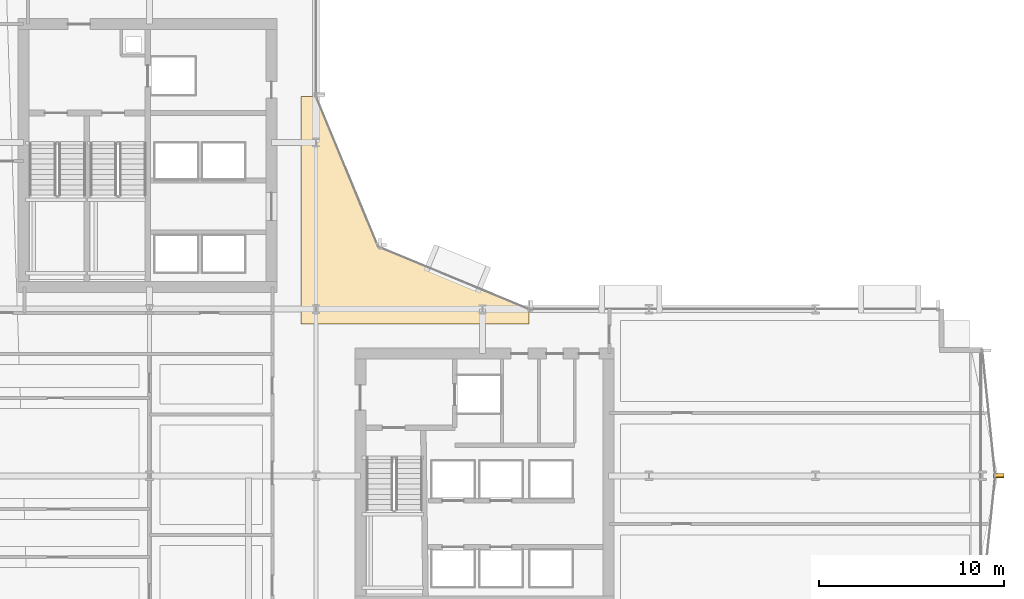
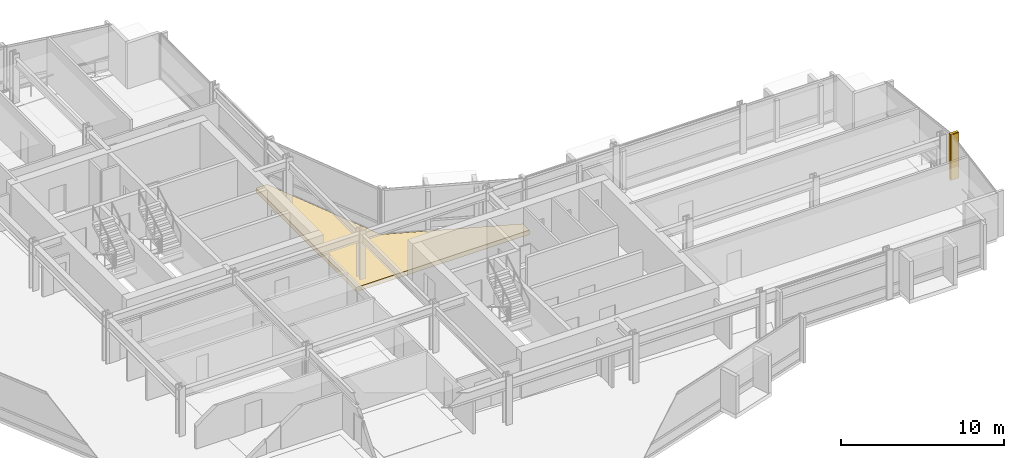
# One storey, part 34 of 34: 3 coverings.
"""IFC4 building model written with IfcOpenShell, lengths in metres."""

from ifc_helpers import new_model, si_unit, direction, frame, origin, origin_2d, place, context, subcontext, project, spatial, polyline, rectangle, outline, extrude, material, layer, layer_set, type_object, element, save


model = new_model("IFC4")

# Units and contexts
model_context = context("Model", 3, precision=1e-05, world=origin(), true_north=direction((0.0, 1.0)))
body_context = subcontext(model_context, "Body", "Model", "MODEL_VIEW")
ifc_project = project(units=[si_unit("LENGTHUNIT", "METRE"), si_unit("AREAUNIT", "SQUARE_METRE"), si_unit("VOLUMEUNIT", "CUBIC_METRE"), si_unit("PLANEANGLEUNIT", "RADIAN"), si_unit("MASSUNIT", "GRAM", prefix="KILO")], contexts=[model_context])

# Site, building, storey
site_placement = place(None, origin())
site = spatial("IfcSite", under=ifc_project, at=site_placement, CompositionType="ELEMENT")
building_placement = place(site_placement, origin())
building = spatial("IfcBuilding", under=site, at=building_placement, Name="Solvaryn Broadcast Tower", CompositionType="ELEMENT")
storey_placement = place(building_placement, frame((0.0, 0.0, 36.0)))
storey = spatial("IfcBuildingStorey", under=building, at=storey_placement, Name="L07", CompositionType="ELEMENT", Elevation=36.0)

# Coverings
ifc_material_1 = material(Name="Extruded Architectural Terracotta Fin", Category="masonry")
ifc_layer_1 = layer(ifc_material_1, 0.179931640625)
ifc_layer_set_1 = layer_set([ifc_layer_1], Name="CV-TC-FIN")
covering_type_1 = type_object("IfcCoveringType", Name="CV-TC-FIN", PredefinedType="USERDEFINED", material=ifc_layer_set_1)
for number, where, z_axis, x_axis, name in (
    (1, (63.884521484375, 18.02978515625, 0.0), (0.0, 0.0, 1.0), (1.0, 0.0, 0.0), "L07 Terracotta Vertical Fin FIN-L07-ET1-M01"),
    (2, (63.884521484375, 17.97021484375, 0.0), (0.0, 0.0, 1.0), (1.0, 0.0, 0.0), "L07 Terracotta Vertical Fin FIN-L07-ET2-M00"),
):
    element("IfcCovering", number, at=place(storey_placement, frame(where, z_axis=z_axis, x_axis=x_axis)), inside=storey, type_object=covering_type_1, Name=name, ObjectType="FIN", PredefinedType="USERDEFINED", context=body_context, shape_type="SweptSolid", body=[
        extrude(rectangle(XDim=0.580078125, YDim=0.179931640625, at=origin_2d()), origin(), (0.0, 0.0, 1.0), 3.419921875),
    ])
ifc_material_2 = material(Name="Sculpted Architectural Terracotta Wave Fascia", Category="masonry")
ifc_layer_2 = layer(ifc_material_2, 0.340087890625)
ifc_layer_set_2 = layer_set([ifc_layer_2], Name="CV-WAVE-TRAY")
covering_type_2 = type_object("IfcCoveringType", Name="CV-WAVE-TRAY", PredefinedType="CLADDING", material=ifc_layer_set_2)
covering_placement = place(storey_placement, frame((0.0, 0.0, -0.300048828125)))
element("IfcCovering", 3, at=covering_placement, inside=storey, type_object=covering_type_2, Name="L07 Concave Canyon Floor Apron", PredefinedType="CLADDING", context=body_context, shape_type="SweptSolid", body=[
    extrude(outline(polyline([(26.199951171875, 26.199951171875), (38.5, 26.199951171875), (38.5, 27.0), (30.367919921875, 30.367919921875), (27.0, 38.5), (26.199951171875, 38.5), (26.199951171875, 26.199951171875)])), origin(), (0.0, 0.0, 1.0), 0.330078125),
])

save(model, "model.ifc")
